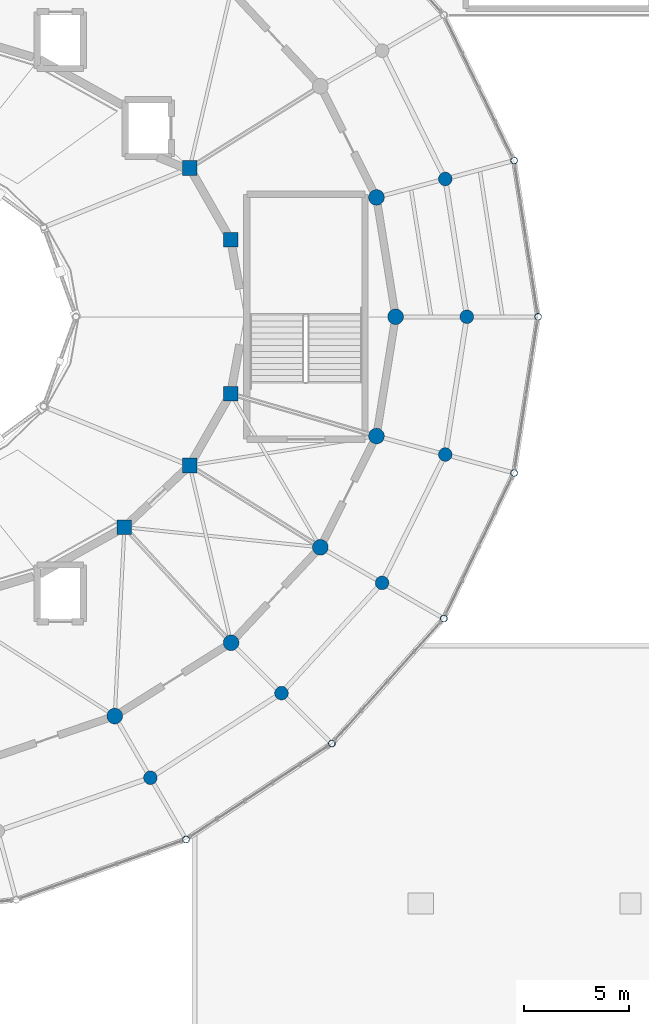
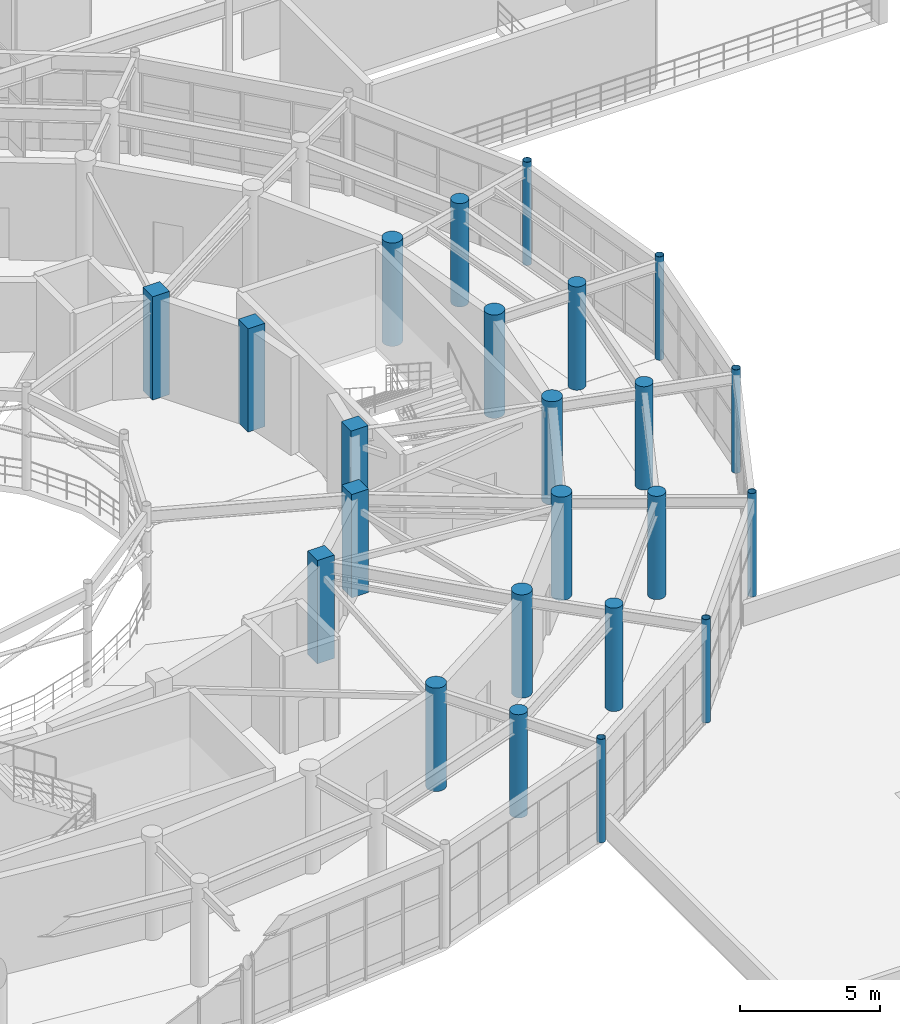
# One storey, part 17 of 112: 23 columns.
"""IFC4 building model written with IfcOpenShell, lengths in metres."""

import ifcopenshell
import ifcopenshell.guid

model = None  # the IFC model being written
_history = None  # IfcOwnerHistory: only IFC2X3 demands one
_inside = {}  # id of a spatial element -> (the spatial element, [elements in it])
_under = {}  # id of a project, library or spatial element -> (it, [spatial elements below it])
_declared = {}  # id of a project -> (the project, [libraries it declares])
_typed = {}  # id of a type object -> (the type object, [elements of that type])
_made_of = {}  # id of a material, layer set ... -> (it, [elements and type objects made of it])


def new_model(schema):
    """Start an empty IFC model of exactly this schema.

    Asked for "IFC4X3", IfcOpenShell would pick the latest addendum, in which some entities
    have other attributes; the version numbers below select the first issue.
    IFC2X3 requires an IfcOwnerHistory on every rooted entity: one is made here for all.
    """
    global model, _history
    if schema == "IFC4X3":
        model = ifcopenshell.file(schema_version=(4, 3, 0, 0))
    else:
        model = ifcopenshell.file(schema=schema)
    _inside.clear()
    _under.clear()
    _declared.clear()
    _typed.clear()
    _made_of.clear()
    _history = None
    if model.schema == "IFC2X3":
        org = make("IfcOrganization", Name="unknown")
        user = make(
            "IfcPersonAndOrganization",
            ThePerson=make("IfcPerson", FamilyName="unknown"),
            TheOrganization=org,
        )
        app = make(
            "IfcApplication",
            ApplicationDeveloper=org,
            Version="unknown",
            ApplicationFullName="unknown",
            ApplicationIdentifier="unknown",
        )
        _history = make(
            "IfcOwnerHistory",
            OwningUser=user,
            OwningApplication=app,
            ChangeAction="ADDED",
            CreationDate=0,
        )
    return model


def make(cls, **values):
    """One entity of the class cls with the attributes given. An attribute that is None is left unset."""
    return model.create_entity(
        cls, **{name: value for name, value in values.items() if value is not None}
    )


def rooted(cls, **values):
    """An entity with a GlobalId (a new one), such as an element, a storey or a relation."""
    return make(cls, GlobalId=ifcopenshell.guid.new(), OwnerHistory=_history, **values)


def si_unit(unit_type, name, prefix=None):
    """IfcSIUnit, for example si_unit("LENGTHUNIT", "METRE", prefix="MILLI")."""
    return make("IfcSIUnit", UnitType=unit_type, Prefix=prefix, Name=name)


def assignment(units):
    """IfcUnitAssignment: the units of a project."""
    return None if units is None else make("IfcUnitAssignment", Units=units)


def point(xyz):
    """IfcCartesianPoint."""
    return None if xyz is None else make("IfcCartesianPoint", Coordinates=xyz)


def direction(xyz):
    """IfcDirection."""
    return None if xyz is None else make("IfcDirection", DirectionRatios=xyz)


def frame(location, z_axis=None, x_axis=None):
    """IfcAxis2Placement3D, a coordinate frame: its origin and axes. An axis left out is left unset."""
    return make(
        "IfcAxis2Placement3D",
        Location=point(location),
        Axis=direction(z_axis),
        RefDirection=direction(x_axis),
    )


def frame_2d(location, x_axis=None):
    """IfcAxis2Placement2D, a coordinate frame in the plane: its origin and x axis."""
    return make(
        "IfcAxis2Placement2D", Location=point(location), RefDirection=direction(x_axis)
    )


def origin():
    """The frame at (0, 0, 0) with its axes left unset."""
    return frame((0.0, 0.0, 0.0))


def origin_2d():
    """The frame at (0, 0) in the plane with its x axis left unset."""
    return frame_2d((0.0, 0.0))


def place(relative_to, where):
    """IfcLocalPlacement: puts the frame where relative to a parent placement (None: the world)."""
    return make(
        "IfcLocalPlacement", PlacementRelTo=relative_to, RelativePlacement=where
    )


def context(
    kind, dimensions, precision=None, world=None, true_north=None, identifier=None
):
    """IfcGeometricRepresentationContext, for example the 3D "Model" context."""
    return make(
        "IfcGeometricRepresentationContext",
        ContextIdentifier=identifier,
        ContextType=kind,
        CoordinateSpaceDimension=dimensions,
        Precision=precision,
        WorldCoordinateSystem=world,
        TrueNorth=true_north,
    )


def subcontext(parent, identifier, kind, view, scale=None):
    """IfcGeometricRepresentationSubContext, for example "Body" below "Model"."""
    return make(
        "IfcGeometricRepresentationSubContext",
        ContextIdentifier=identifier,
        ContextType=kind,
        ParentContext=parent,
        TargetScale=scale,
        TargetView=view,
    )


def project(units=None, contexts=None):
    """IfcProject with its units and contexts."""
    return rooted(
        "IfcProject",
        Name="project",
        RepresentationContexts=contexts,
        UnitsInContext=assignment(units),
    )


def spatial(cls, under=None, at=None, **own):
    """A site, building, storey or space (cls), placed at a placement, below another one or the project."""
    s = rooted(cls, ObjectPlacement=at, **own)
    if under is not None:
        _under.setdefault(under.id(), (under, []))[1].append(s)
    return s


def profile(cls, at=None, kind="AREA", **sizes):
    """A parametric profile (cls). Its sizes go by their IFC names, for example OverallWidth=200.0."""
    return make(cls, ProfileType=kind, Position=at, **sizes)


def rectangle(**sizes):
    """IfcRectangleProfileDef."""
    return profile("IfcRectangleProfileDef", **sizes)


def circle(**sizes):
    """IfcCircleProfileDef."""
    return profile("IfcCircleProfileDef", **sizes)


def hollow_circle(**sizes):
    """IfcCircleHollowProfileDef."""
    return profile("IfcCircleHollowProfileDef", **sizes)


def extrude(swept, where, along, depth):
    """IfcExtrudedAreaSolid: the profile swept, set in the frame where, extruded along a direction by depth."""
    return make(
        "IfcExtrudedAreaSolid",
        SweptArea=swept,
        Position=where,
        ExtrudedDirection=direction(along),
        Depth=depth,
    )


def shape(context_of_items, identifier, shape_type, items):
    """IfcShapeRepresentation: the items that make up one representation, for example the "Body"."""
    return make(
        "IfcShapeRepresentation",
        ContextOfItems=context_of_items,
        RepresentationIdentifier=identifier,
        RepresentationType=shape_type,
        Items=items,
    )


def material(Name=None, Category=None):
    """IfcMaterial."""
    return make("IfcMaterial", Name=Name, Category=Category)


def material_profile(
    of_material, cross_section, Name=None, Category=None, Priority=None
):
    """IfcMaterialProfile: a cross section and its material."""
    return make(
        "IfcMaterialProfile",
        Name=Name,
        Material=of_material,
        Profile=cross_section,
        Priority=Priority,
        Category=Category,
    )


def profile_set(profiles, Name=None, composite=None):
    """IfcMaterialProfileSet."""
    return make(
        "IfcMaterialProfileSet",
        Name=Name,
        MaterialProfiles=profiles,
        CompositeProfile=composite,
    )


def made_of(thing, what):
    """Note that an element or type object is made of a material, layer set ...; save() writes the relation."""
    if what is not None:
        _made_of.setdefault(what.id(), (what, []))[1].append(thing)
    return thing


def type_object(cls, material=None, **own):
    """A type object (cls), such as IfcWallType, which elements share."""
    return made_of(rooted(cls, **own), material)


def element(
    cls,
    number,
    at=None,
    inside=None,
    cuts=None,
    type_object=None,
    material=None,
    context=None,
    identifier="Body",
    shape_type=None,
    held_by="IfcProductDefinitionShape",
    body=None,
    shapes=None,
    **own,
):
    """One element of the class cls, such as IfcWall. Its Tag is "e" and its number.

    at: its placement. inside: the storey or other place that contains it. cuts: it is an
    opening in that element (IfcRelVoidsElement). A single representation is given by context,
    identifier, shape_type and body (its items); several are given by shapes. held_by: the class
    of the entity that holds the representations. save() writes the other relations.
    """
    e = rooted(cls, Tag="e%d" % number, ObjectPlacement=at, **own)
    if body is not None:
        shapes = [shape(context, identifier, shape_type, body)]
    if shapes is not None:
        e.Representation = make(held_by, Representations=shapes)
    if inside is not None:
        _inside.setdefault(inside.id(), (inside, []))[1].append(e)
    if cuts is not None:
        rooted(
            "IfcRelVoidsElement", RelatingBuildingElement=cuts, RelatedOpeningElement=e
        )
    if type_object is not None:
        _typed.setdefault(type_object.id(), (type_object, []))[1].append(e)
    return made_of(e, material)


def aggregate(whole, parts):
    """IfcRelAggregates: a whole, such as a stair, and the parts it consists of."""
    return rooted("IfcRelAggregates", RelatingObject=whole, RelatedObjects=parts)


def save(model, path):
    """Write the relations noted so far, then the file.

    IfcRelAggregates (storeys below a building ...), IfcRelContainedInSpatialStructure (elements
    in a storey), IfcRelDefinesByType, IfcRelAssociatesMaterial and IfcRelDeclares: one each for
    every whole, place, type object, material and project.
    """
    for whole, parts in _under.values():
        aggregate(whole, parts)
    for where, things in _inside.values():
        rooted(
            "IfcRelContainedInSpatialStructure",
            RelatedElements=things,
            RelatingStructure=where,
        )
    for kind, things in _typed.values():
        rooted("IfcRelDefinesByType", RelatedObjects=things, RelatingType=kind)
    for what, things in _made_of.values():
        rooted("IfcRelAssociatesMaterial", RelatedObjects=things, RelatingMaterial=what)
    for by, libraries in _declared.values():
        rooted("IfcRelDeclares", RelatingContext=by, RelatedDefinitions=libraries)
    model.write(path)


model = new_model("IFC4")

# Units and contexts
model_context = context("Model", 3, precision=1e-05, world=origin(), true_north=direction((0.0, 1.0)))
body_context = subcontext(model_context, "Body", "Model", "MODEL_VIEW")
ifc_project = project(units=[si_unit("LENGTHUNIT", "METRE"), si_unit("AREAUNIT", "SQUARE_METRE"), si_unit("VOLUMEUNIT", "CUBIC_METRE"), si_unit("PLANEANGLEUNIT", "RADIAN"), si_unit("MASSUNIT", "GRAM", prefix="KILO")], contexts=[model_context])

# Site, building, storey
site_placement = place(None, origin())
site = spatial("IfcSite", under=ifc_project, at=site_placement, CompositionType="ELEMENT")
building_placement = place(site_placement, origin())
building = spatial("IfcBuilding", under=site, at=building_placement, Name="Cinderbank Siding Concert Hall", CompositionType="ELEMENT")
storey_placement = place(building_placement, frame((0.0, 0.0, 10.199951171875)))
storey = spatial("IfcBuildingStorey", under=building, at=storey_placement, Name="L03", CompositionType="ELEMENT", Elevation=10.199951171875)

# Columns
ifc_material_1 = material(Name="Structural steel hollow section AS/NZS 1163 Grade C350L0 (350 MPa)", Category="steel")
ifc_material_profile_1 = material_profile(ifc_material_1, hollow_circle(Radius=0.161865234375, WallThickness=0.0126953125, at=origin_2d()), Name="323.9x12.7CHS", Category="LoadBearing")
ifc_profile_set_1 = profile_set([ifc_material_profile_1], Name="Structural steel hollow section AS/NZS 1163 Grade C350L0 (350 MPa)")
column_type_1 = type_object("IfcColumnType", Name="C-CHS323 323.9x12.7CHS", PredefinedType="COLUMN", material=ifc_profile_set_1)
for number, where, z_axis, x_axis, name in (
    (1, (155.60009765625, 44.0, 0.0), (0.0, 0.0, 1.0), (1.0, 0.0, 0.0), "L03 Column COL-E4-01"),
    (2, (154.455078125, 51.4541015625, 0.0), (0.0, 0.0, 1.0), (1.0, 0.0, 0.0), "L03 Column COL-E4-02"),
    (3, (138.800048828125, 19.05810546875, 0.0), (0.0, 0.0, 1.0), (1.0, 0.0, 0.0), "L03 Column COL-E4-21"),
    (4, (145.759033203125, 23.635009765625, 0.0), (0.0, 0.0, 1.0), (1.0, 0.0, 0.0), "L03 Column COL-E4-22"),
    (5, (151.09912109375, 29.60009765625, 0.0), (0.0, 0.0, 1.0), (1.0, 0.0, 0.0), "L03 Column COL-E4-23"),
    (6, (154.455078125, 36.5458984375, 0.0), (0.0, 0.0, 1.0), (1.0, 0.0, 0.0), "L03 Column COL-E4-24"),
):
    element("IfcColumn", number, at=place(storey_placement, frame(where, z_axis=z_axis, x_axis=x_axis)), inside=storey, type_object=column_type_1, Name=name, PredefinedType="COLUMN", context=body_context, shape_type="SweptSolid", body=[
        extrude(hollow_circle(Radius=0.161865234375, WallThickness=0.0126953125, at=origin_2d()), origin(), (0.0, 0.0, 1.0), 4.5),
    ])
ifc_material_2 = material(Name="Reinforced concrete AS 3600 N50 (50 MPa)", Category="concrete")
ifc_material_profile_2 = material_profile(ifc_material_2, rectangle(XDim=0.699951171875, YDim=0.699951171875, at=origin_2d()), Name="RC-COL-700x700", Category="LoadBearing")
ifc_profile_set_2 = profile_set([ifc_material_profile_2], Name="Reinforced concrete AS 3600 N50 (50 MPa)")
column_type_2 = type_object("IfcColumnType", Name="C-RC700 RC-COL-700x700", PredefinedType="COLUMN", material=ifc_profile_set_2)
for number, where, z_axis, x_axis, name in (
    (7, (140.931884765625, 47.675048828125, 0.0), (0.0, 0.0, 1.0), (1.0, 0.0, 0.0), "L03 Column COL-E1-02"),
    (8, (138.97412109375, 51.10009765625, 0.0), (0.0, 0.0, 1.0), (1.0, 0.0, 0.0), "L03 Column COL-E1-03"),
    (9, (135.85888671875, 33.958984375, 0.0), (0.0, 0.0, 1.0), (1.0, 0.0, 0.0), "L03 Column COL-E1-22"),
    (10, (138.97412109375, 36.89990234375, 0.0), (0.0, 0.0, 1.0), (1.0, 0.0, 0.0), "L03 Column COL-E1-23"),
    (11, (140.931884765625, 40.324951171875, 0.0), (0.0, 0.0, 1.0), (1.0, 0.0, 0.0), "L03 Column COL-E1-24"),
):
    element("IfcColumn", number, at=place(storey_placement, frame(where, z_axis=z_axis, x_axis=x_axis)), inside=storey, type_object=column_type_2, Name=name, PredefinedType="COLUMN", context=body_context, shape_type="SweptSolid", body=[
        extrude(rectangle(XDim=0.699951171875, YDim=0.699951171875, at=origin_2d()), origin(), (0.0, 0.0, 1.0), 4.5),
    ])
ifc_material_profile_3 = material_profile(ifc_material_2, circle(Radius=0.324951171875, at=origin_2d()), Name="RC-COL-650DIA", Category="LoadBearing")
ifc_profile_set_3 = profile_set([ifc_material_profile_3], Name="Reinforced concrete AS 3600 N50 (50 MPa)")
column_type_3 = type_object("IfcColumnType", Name="C-RCD650 RC-COL-650DIA", PredefinedType="COLUMN", material=ifc_profile_set_3)
for number, where, z_axis, x_axis, name in (
    (12, (152.199951171875, 44.0, 0.0), (0.0, 0.0, 1.0), (1.0, 0.0, 0.0), "L03 Column COL-E3-01"),
    (13, (151.1708984375, 50.573974609375, 0.0), (0.0, 0.0, 1.0), (1.0, 0.0, 0.0), "L03 Column COL-E3-02"),
    (14, (137.10009765625, 22.0029296875, 0.0), (0.0, 0.0, 1.0), (1.0, 0.0, 0.0), "L03 Column COL-E3-21"),
    (15, (143.35498046875, 26.0400390625, 0.0), (0.0, 0.0, 1.0), (1.0, 0.0, 0.0), "L03 Column COL-E3-22"),
    (16, (148.154052734375, 31.300048828125, 0.0), (0.0, 0.0, 1.0), (1.0, 0.0, 0.0), "L03 Column COL-E3-23"),
    (17, (151.1708984375, 37.426025390625, 0.0), (0.0, 0.0, 1.0), (1.0, 0.0, 0.0), "L03 Column COL-E3-24"),
):
    element("IfcColumn", number, at=place(storey_placement, frame(where, z_axis=z_axis, x_axis=x_axis)), inside=storey, type_object=column_type_3, Name=name, PredefinedType="COLUMN", context=body_context, shape_type="SweptSolid", body=[
        extrude(circle(Radius=0.324951171875, at=origin_2d()), origin(), (0.0, 0.0, 1.0), 4.5),
    ])
ifc_material_profile_4 = material_profile(ifc_material_2, circle(Radius=0.375, at=origin_2d()), Name="RC-COL-750DIA", Category="LoadBearing")
ifc_profile_set_4 = profile_set([ifc_material_profile_4], Name="Reinforced concrete AS 3600 N50 (50 MPa)")
column_type_4 = type_object("IfcColumnType", Name="C-RCD750 RC-COL-750DIA", PredefinedType="COLUMN", material=ifc_profile_set_4)
for number, where, z_axis, x_axis, name in (
    (18, (148.800048828125, 44.0, 0.0), (0.0, 0.0, 1.0), (1.0, 0.0, 0.0), "L03 Column COL-E2-01"),
    (19, (147.886962890625, 49.694091796875, 0.0), (0.0, 0.0, 1.0), (1.0, 0.0, 0.0), "L03 Column COL-E2-02"),
    (20, (135.39990234375, 24.947021484375, 0.0), (0.0, 0.0, 1.0), (1.0, 0.0, 0.0), "L03 Column COL-E2-21"),
    (21, (140.950927734375, 28.444091796875, 0.0), (0.0, 0.0, 1.0), (1.0, 0.0, 0.0), "L03 Column COL-E2-22"),
    (22, (145.208984375, 33.0, 0.0), (0.0, 0.0, 1.0), (1.0, 0.0, 0.0), "L03 Column COL-E2-23"),
    (23, (147.886962890625, 38.305908203125, 0.0), (0.0, 0.0, 1.0), (1.0, 0.0, 0.0), "L03 Column COL-E2-24"),
):
    element("IfcColumn", number, at=place(storey_placement, frame(where, z_axis=z_axis, x_axis=x_axis)), inside=storey, type_object=column_type_4, Name=name, PredefinedType="COLUMN", context=body_context, shape_type="SweptSolid", body=[
        extrude(circle(Radius=0.375, at=origin_2d()), origin(), (0.0, 0.0, 1.0), 4.5),
    ])

save(model, "model.ifc")
